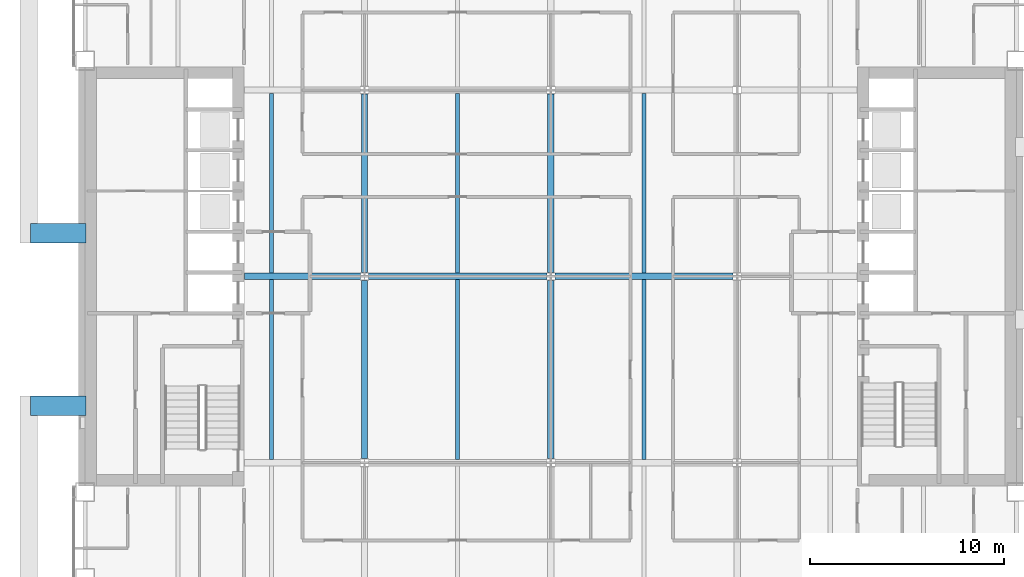
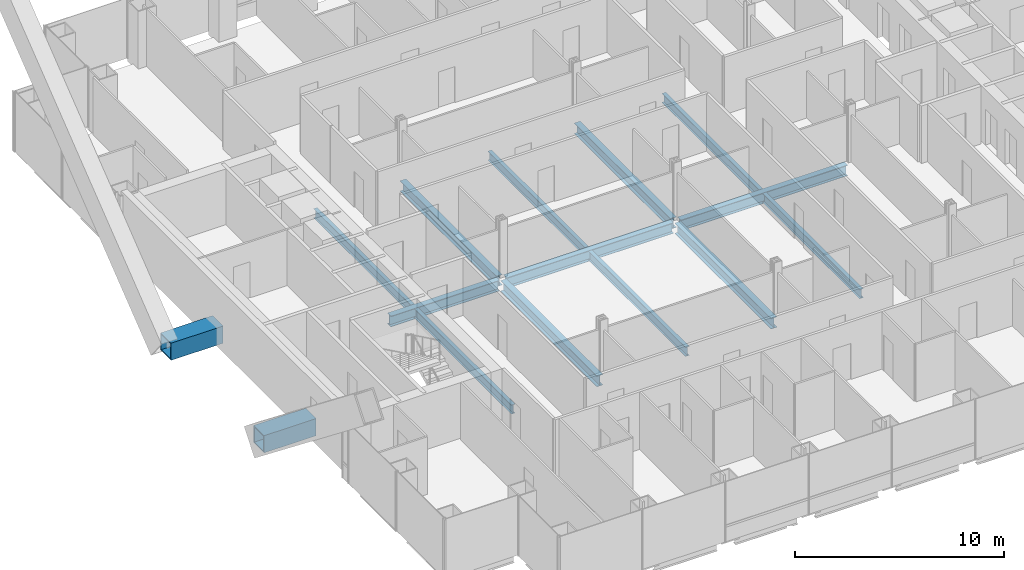
# One storey, part 4 of 23: 15 beams.
"""IFC4 building model written with IfcOpenShell, lengths in metres."""

from ifc_helpers import new_model, si_unit, direction, frame, origin, origin_2d, place, context, subcontext, project, spatial, hollow_rectangle, i_section, extrude, material, material_profile, profile_set, type_object, element, save


model = new_model("IFC4")

# Units and contexts
model_context = context("Model", 3, precision=1e-05, world=origin(), true_north=direction((0.0, 1.0)))
body_context = subcontext(model_context, "Body", "Model", "MODEL_VIEW")
ifc_project = project(units=[si_unit("LENGTHUNIT", "METRE"), si_unit("AREAUNIT", "SQUARE_METRE"), si_unit("VOLUMEUNIT", "CUBIC_METRE"), si_unit("PLANEANGLEUNIT", "RADIAN"), si_unit("MASSUNIT", "GRAM", prefix="KILO")], contexts=[model_context])

# Site, building, storey
site_placement = place(None, origin())
site = spatial("IfcSite", under=ifc_project, at=site_placement, CompositionType="ELEMENT")
building_placement = place(site_placement, origin())
building = spatial("IfcBuilding", under=site, at=building_placement, Name="Cobrizo Arcos Hotel Tower", CompositionType="ELEMENT")
storey_placement = place(building_placement, frame((0.0, 0.0, 56.5)))
storey = spatial("IfcBuildingStorey", under=building, at=storey_placement, Name="L12", CompositionType="ELEMENT", Elevation=56.5)

# Beams
ifc_material_1 = material(Name="Steel ASTM A572 Grade 50", Category="steel")
ifc_material_profile_1 = material_profile(ifc_material_1, hollow_rectangle(XDim=1.0, YDim=1.0, WallThickness=0.06005859375, at=origin_2d()), Name="BOX 1000X1000X60")
ifc_profile_set_1 = profile_set([ifc_material_profile_1], Name="Steel ASTM A572 Grade 50")
beam_type_1 = type_object("IfcBeamType", Name="BOX 1000X1000X60 brace connector strut", PredefinedType="BEAM", material=ifc_profile_set_1)
for number, where, z_axis, x_axis, name in (
    (1, (-23.949951171875, -6.666748046875, 0.5), (-1.0, 0.0, 0.0), (0.0, -1.0, 0.0), "Perimeter brace stub BS1, zone Z1, west face, offset -6.67 m, L12"),
    (2, (-23.949951171875, 2.22216796875, 0.5), (-1.0, 0.0, 0.0), (0.0, -1.0, 0.0), "Perimeter brace stub BS1, zone Z1, west face, offset +2.22 m, L12"),
):
    element("IfcBeam", number, at=place(storey_placement, frame(where, z_axis=z_axis, x_axis=x_axis)), inside=storey, type_object=beam_type_1, Name=name, PredefinedType="BEAM", context=body_context, shape_type="SweptSolid", body=[
        extrude(hollow_rectangle(XDim=1.0, YDim=1.0, WallThickness=0.06005859375, at=origin_2d()), origin(), (0.0, 0.0, 1.0), 2.8701171875),
    ])
ifc_material_2 = material(Name="Steel ASTM A992 Grade 50", Category="steel")
ifc_material_profile_2 = material_profile(ifc_material_2, i_section(OverallWidth=0.209228515625, OverallDepth=0.533447265625, WebThickness=0.01025390625, FlangeThickness=0.015625, at=origin_2d()), Name="W21X62")
ifc_profile_set_2 = profile_set([ifc_material_profile_2], Name="Steel ASTM A992 Grade 50")
beam_type_2 = type_object("IfcBeamType", Name="W21X62 joist", PredefinedType="JOIST", material=ifc_profile_set_2)
for number, where, z_axis, x_axis, name in (
    (3, (-14.39990234375, -9.43603515625, -0.416748046875), (0.0, 1.0, 0.0), (-1.0, 0.0, 0.0), "Floor joist J1, L12, no. 004"),
    (4, (-14.39990234375, 0.163818359375, -0.416748046875), (0.0, 1.0, 0.0), (-1.0, 0.0, 0.0), "Floor joist J1, L12, no. 005"),
    (5, (-4.800048828125, -9.43603515625, -0.416748046875), (0.0, 1.0, 0.0), (-1.0, 0.0, 0.0), "Floor joist J1, L12, no. 008"),
    (6, (-4.800048828125, 0.163818359375, -0.416748046875), (0.0, 1.0, 0.0), (-1.0, 0.0, 0.0), "Floor joist J1, L12, no. 009"),
    (7, (4.800048828125, -9.43603515625, -0.416748046875), (0.0, 1.0, 0.0), (-1.0, 0.0, 0.0), "Floor joist J1, L12, no. 012"),
    (8, (4.800048828125, 0.163818359375, -0.416748046875), (0.0, 1.0, 0.0), (-1.0, 0.0, 0.0), "Floor joist J1, L12, no. 013"),
):
    element("IfcBeam", number, at=place(storey_placement, frame(where, z_axis=z_axis, x_axis=x_axis)), inside=storey, type_object=beam_type_2, Name=name, PredefinedType="JOIST", context=body_context, shape_type="SweptSolid", body=[
        extrude(i_section(OverallWidth=0.209228515625, OverallDepth=0.533447265625, WebThickness=0.01025390625, FlangeThickness=0.015625, at=origin_2d()), origin(), (0.0, 0.0, 1.0), 9.272216796875),
    ])
ifc_material_profile_3 = material_profile(ifc_material_2, i_section(OverallWidth=0.32763671875, OverallDepth=0.622314453125, WebThickness=0.015380859375, FlangeThickness=0.0244140625, at=origin_2d()), Name="W24X131")
ifc_profile_set_3 = profile_set([ifc_material_profile_3], Name="Steel ASTM A992 Grade 50")
beam_type_3 = type_object("IfcBeamType", Name="W24X131 girder", PredefinedType="BEAM", material=ifc_profile_set_3)
beam_placement = place(storey_placement, frame((-15.7900390625, 0.0, -0.461181640625), z_axis=(1.0, 0.0, 0.0), x_axis=(0.0, 1.0, 0.0)))
element("IfcBeam", 9, at=beam_placement, inside=storey, type_object=beam_type_3, Name="Floor girder G1, L12, no. 005", PredefinedType="BEAM", context=body_context, shape_type="SweptSolid", body=[
    extrude(i_section(OverallWidth=0.32763671875, OverallDepth=0.622314453125, WebThickness=0.015380859375, FlangeThickness=0.0244140625, at=origin_2d()), origin(), (0.0, 0.0, 1.0), 5.985595703125),
])
for number, where, z_axis, x_axis, name in (
    (10, (-9.3955078125, 0.0, -0.461181640625), (1.0, 0.0, 0.0), (0.0, 1.0, 0.0), "Floor girder G1, L12, no. 006"),
    (11, (0.204345703125, 0.0, -0.461181640625), (1.0, 0.0, 0.0), (0.0, 1.0, 0.0), "Floor girder G1, L12, no. 007"),
    (12, (-9.60009765625, -9.3955078125, -0.461181640625), (0.0, 1.0, 0.0), (-1.0, 0.0, 0.0), "Floor girder G1, L12, no. 014"),
    (13, (-9.60009765625, 0.204345703125, -0.461181640625), (0.0, 1.0, 0.0), (-1.0, 0.0, 0.0), "Floor girder G1, L12, no. 015"),
    (14, (0.0, -9.3955078125, -0.461181640625), (0.0, 1.0, 0.0), (-1.0, 0.0, 0.0), "Floor girder G1, L12, no. 018"),
    (15, (0.0, 0.204345703125, -0.461181640625), (0.0, 1.0, 0.0), (-1.0, 0.0, 0.0), "Floor girder G1, L12, no. 019"),
):
    element("IfcBeam", number, at=place(storey_placement, frame(where, z_axis=z_axis, x_axis=x_axis)), inside=storey, type_object=beam_type_3, Name=name, PredefinedType="BEAM", context=body_context, shape_type="SweptSolid", body=[
        extrude(i_section(OverallWidth=0.32763671875, OverallDepth=0.622314453125, WebThickness=0.015380859375, FlangeThickness=0.0244140625, at=origin_2d()), origin(), (0.0, 0.0, 1.0), 9.191162109375),
    ])

save(model, "model.ifc")
